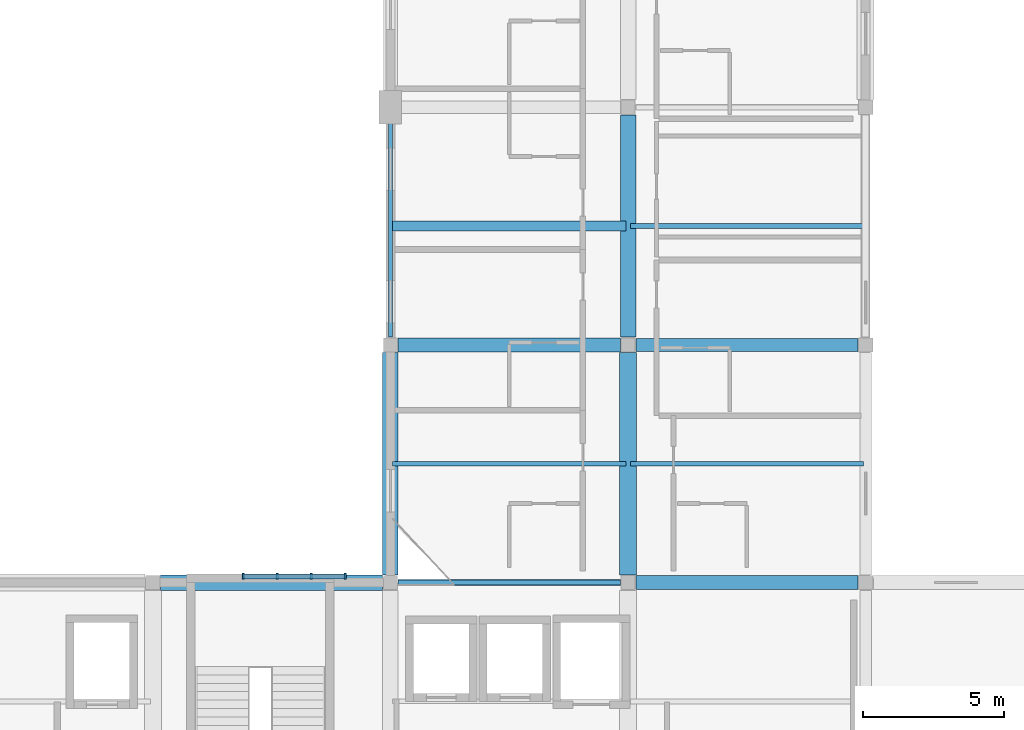
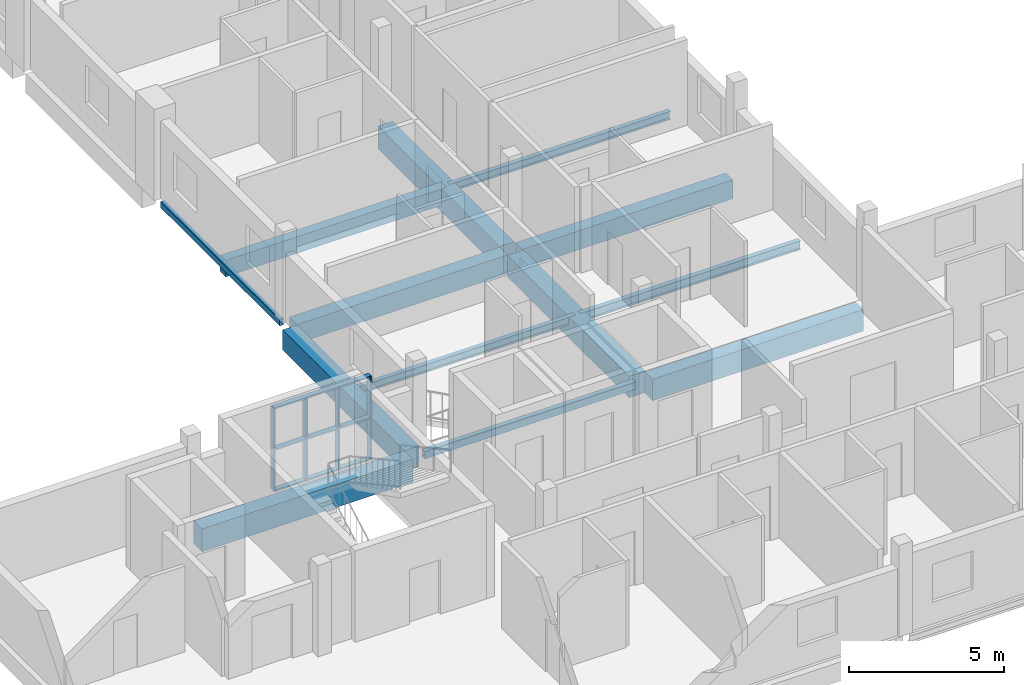
# One storey, part 2 of 20: 13 beams, 7 members, 1 element without a shape of its own.
"""IFC4 building model written with IfcOpenShell, lengths in metres."""

from ifc_helpers import new_model, si_unit, derived_unit, direction, frame, origin, origin_2d, place, context, subcontext, project, spatial, rectangle, hollow_rectangle, i_section, extrude, material, material_profile, profile_set, type_object, element, aggregate, save


model = new_model("IFC4")

# Units and contexts
model_context = context("Model", 3, precision=1e-05, world=origin(), true_north=direction((0.0, 1.0)))
body_context = subcontext(model_context, "Body", "Model", "MODEL_VIEW")
ifc_project = project(units=[si_unit("LENGTHUNIT", "METRE"), si_unit("AREAUNIT", "SQUARE_METRE"), si_unit("VOLUMEUNIT", "CUBIC_METRE"), si_unit("PLANEANGLEUNIT", "RADIAN"), si_unit("MASSUNIT", "GRAM", prefix="KILO"), derived_unit("THERMALTRANSMITTANCEUNIT", [(si_unit("POWERUNIT", "WATT"), 1), (si_unit("LENGTHUNIT", "METRE"), -2), (si_unit("THERMODYNAMICTEMPERATUREUNIT", "KELVIN"), -1)])], contexts=[model_context])

# Site, building, storey
site_placement = place(None, origin())
site = spatial("IfcSite", under=ifc_project, at=site_placement, CompositionType="ELEMENT")
building_placement = place(site_placement, origin())
building = spatial("IfcBuilding", under=site, at=building_placement, Name="Barrovel Congress Hotel", CompositionType="ELEMENT")
storey_placement = place(building_placement, frame((0.0, 0.0, 39.89990234375)))
storey = spatial("IfcBuildingStorey", under=building, at=storey_placement, Name="L10", CompositionType="ELEMENT", Elevation=39.89990234375)

# Beams
ifc_material_1 = material(Name="Concrete C40", Category="concrete")
ifc_material_profile_1 = material_profile(ifc_material_1, rectangle(XDim=0.35009765625, YDim=0.64990234375, at=origin_2d()), Name="RC350x650")
ifc_profile_set_1 = profile_set([ifc_material_profile_1], Name="Concrete C40")
beam_type_1 = type_object("IfcBeamType", Name="BM-RC350x650", PredefinedType="JOIST", material=ifc_profile_set_1)
beam_1_placement = place(storey_placement, frame((33.679931640625, 33.60009765625, -0.544921875), z_axis=(1.0, 0.0, 0.0), x_axis=(0.0, 1.0, 0.0)))
element("IfcBeam", 1, at=beam_1_placement, inside=storey, type_object=beam_type_1, Name="JST:L10:33.6:33.6", PredefinedType="JOIST", context=body_context, shape_type="SweptSolid", body=[
    extrude(rectangle(XDim=0.35009765625, YDim=0.64990234375, at=origin_2d()), origin(), (0.0, 0.0, 1.0), 8.239990234375),
])
ifc_material_profile_2 = material_profile(ifc_material_1, rectangle(XDim=0.449951171875, YDim=0.75, at=origin_2d()), Name="RC450x750")
ifc_profile_set_2 = profile_set([ifc_material_profile_2], Name="Concrete C40")
beam_type_2 = type_object("IfcBeamType", Name="BM-RC450x750", PredefinedType="BEAM", material=ifc_profile_set_2)
beam_2_placement = place(storey_placement, frame((42.27490234375, 29.39990234375, -0.594970703125), z_axis=(1.0, 0.0, 0.0), x_axis=(0.0, 1.0, 0.0)))
element("IfcBeam", 2, at=beam_2_placement, inside=storey, type_object=beam_type_2, Name="BMX:L10:29.4:42.0-50.4", PredefinedType="BEAM", context=body_context, shape_type="SweptSolid", body=[
    extrude(rectangle(XDim=0.449951171875, YDim=0.75, at=origin_2d()), origin(), (0.0, 0.0, 1.0), 7.85009765625),
])
ifc_material_profile_3 = material_profile(ifc_material_1, rectangle(XDim=0.5, YDim=0.75, at=origin_2d()), Name="RC500x750")
ifc_profile_set_3 = profile_set([ifc_material_profile_3], Name="Concrete C40")
beam_type_3 = type_object("IfcBeamType", Name="BM-RC500x750", PredefinedType="BEAM", material=ifc_profile_set_3)
beam_3_placement = place(storey_placement, frame((33.875, 29.39990234375, -0.594970703125), z_axis=(1.0, 0.0, 0.0), x_axis=(0.0, 1.0, 0.0)))
element("IfcBeam", 3, at=beam_3_placement, inside=storey, type_object=beam_type_3, Name="BMX:L10:29.4:33.6-42.0", PredefinedType="BEAM", context=body_context, shape_type="SweptSolid", body=[
    extrude(rectangle(XDim=0.5, YDim=0.75, at=origin_2d()), origin(), (0.0, 0.0, 1.0), 7.85009765625),
])
ifc_material_profile_4 = material_profile(ifc_material_1, rectangle(XDim=0.5, YDim=0.85009765625, at=origin_2d()), Name="RC500x850")
ifc_profile_set_4 = profile_set([ifc_material_profile_4], Name="Concrete C40")
beam_type_4 = type_object("IfcBeamType", Name="BM-RC500x850", PredefinedType="BEAM", material=ifc_profile_set_4)
beam_4_placement = place(storey_placement, frame((42.27490234375, 21.0, -0.64501953125), z_axis=(1.0, 0.0, 0.0), x_axis=(0.0, 1.0, 0.0)))
element("IfcBeam", 4, at=beam_4_placement, inside=storey, type_object=beam_type_4, Name="BMX:L10:21.0:42.0-50.4", PredefinedType="BEAM", context=body_context, shape_type="SweptSolid", body=[
    extrude(rectangle(XDim=0.5, YDim=0.85009765625, at=origin_2d()), origin(), (0.0, 0.0, 1.0), 7.85009765625),
])
ifc_material_profile_5 = material_profile(ifc_material_1, rectangle(XDim=0.550048828125, YDim=0.800048828125, at=origin_2d()), Name="RC550x800")
ifc_profile_set_5 = profile_set([ifc_material_profile_5], Name="Concrete C40")
beam_type_5 = type_object("IfcBeamType", Name="BM-RC550x800", PredefinedType="BEAM", material=ifc_profile_set_5)
beam_5_placement = place(storey_placement, frame((33.60009765625, 21.27490234375, -0.619873046875), z_axis=(0.0, 1.0, 0.0), x_axis=(-1.0, 0.0, 0.0)))
element("IfcBeam", 5, at=beam_5_placement, inside=storey, type_object=beam_type_5, Name="BMY:L10:33.6:21.0-29.4", PredefinedType="BEAM", context=body_context, shape_type="SweptSolid", body=[
    extrude(rectangle(XDim=0.550048828125, YDim=0.800048828125, at=origin_2d()), origin(), (0.0, 0.0, 1.0), 7.85009765625),
])
ifc_material_profile_6 = material_profile(ifc_material_1, rectangle(XDim=0.550048828125, YDim=0.89990234375, at=origin_2d()), Name="RC550x900")
ifc_profile_set_6 = profile_set([ifc_material_profile_6], Name="Concrete C40")
beam_type_6 = type_object("IfcBeamType", Name="BM-RC550x900", PredefinedType="BEAM", material=ifc_profile_set_6)
for number, where, z_axis, x_axis, name in (
    (6, (25.47509765625, 21.0, -0.669921875), (1.0, 0.0, 0.0), (0.0, 1.0, 0.0), "BMX:L10:21.0:25.2-33.6"),
    (7, (42.0, 29.675048828125, -0.669921875), (0.0, 1.0, 0.0), (-1.0, 0.0, 0.0), "BMY:L10:42.0:29.4-37.8"),
):
    element("IfcBeam", number, at=place(storey_placement, frame(where, z_axis=z_axis, x_axis=x_axis)), inside=storey, type_object=beam_type_6, Name=name, PredefinedType="BEAM", context=body_context, shape_type="SweptSolid", body=[
        extrude(rectangle(XDim=0.550048828125, YDim=0.89990234375, at=origin_2d()), origin(), (0.0, 0.0, 1.0), 7.849853515625),
    ])
ifc_material_profile_7 = material_profile(ifc_material_1, rectangle(XDim=0.60009765625, YDim=0.85009765625, at=origin_2d()), Name="RC600x850")
ifc_profile_set_7 = profile_set([ifc_material_profile_7], Name="Concrete C40")
beam_type_7 = type_object("IfcBeamType", Name="BM-RC600x850", PredefinedType="BEAM", material=ifc_profile_set_7)
beam_6_placement = place(storey_placement, frame((42.0, 21.27490234375, -0.64501953125), z_axis=(0.0, 1.0, 0.0), x_axis=(-1.0, 0.0, 0.0)))
element("IfcBeam", 8, at=beam_6_placement, inside=storey, type_object=beam_type_7, Name="BMY:L10:42.0:21.0-29.4", PredefinedType="BEAM", context=body_context, shape_type="SweptSolid", body=[
    extrude(rectangle(XDim=0.60009765625, YDim=0.85009765625, at=origin_2d()), origin(), (0.0, 0.0, 1.0), 7.85009765625),
])

# Curtain wall, members
ifc_material_2 = material(Name="Anodised Aluminium Alloy 6063-T6", Category="aluminium")
curtain_wall_type = type_object("IfcCurtainWallType", Name="CW-UN-3600x3200", PredefinedType="USERDEFINED", material=ifc_material_2)
curtain_wall_placement = place(storey_placement, origin())
curtain_wall = element("IfcCurtainWall", 9, at=curtain_wall_placement, inside=storey, type_object=curtain_wall_type, Name="CW:L10:UN-3", ObjectType="UNITISED CURTAIN WALL", PredefinedType="USERDEFINED")
ifc_material_profile_8 = material_profile(ifc_material_2, rectangle(XDim=0.06494140625, YDim=0.219970703125, at=origin_2d()), Name="AL-M65x220")
ifc_profile_set_8 = profile_set([ifc_material_profile_8], Name="Anodised Aluminium Alloy 6063-T6")
member_type_1 = type_object("IfcMemberType", Name="CWM-AL-M65x220", PredefinedType="MULLION", material=ifc_profile_set_8)
member_1_placement = place(storey_placement, frame((28.39990234375, 21.219970703125, 0.0), z_axis=(0.0, 0.0, 1.0), x_axis=(1.0, 0.0, 0.0)))
member_1 = element("IfcMember", 10, at=member_1_placement, type_object=member_type_1, Name="CW:L10:UN-3:M0", PredefinedType="MULLION", context=body_context, shape_type="SweptSolid", body=[
    extrude(rectangle(XDim=0.06494140625, YDim=0.219970703125, at=origin_2d()), origin(), (0.0, 0.0, 1.0), 3.25),
])
member_2_placement = place(storey_placement, frame((29.60009765625, 21.219970703125, 0.0), z_axis=(0.0, 0.0, 1.0), x_axis=(1.0, 0.0, 0.0)))
member_2 = element("IfcMember", 11, at=member_2_placement, type_object=member_type_1, Name="CW:L10:UN-3:M1", PredefinedType="MULLION", context=body_context, shape_type="SweptSolid", body=[
    extrude(rectangle(XDim=0.06494140625, YDim=0.219970703125, at=origin_2d()), origin(), (0.0, 0.0, 1.0), 3.25),
])
member_3_placement = place(storey_placement, frame((30.800048828125, 21.219970703125, 0.0), z_axis=(0.0, 0.0, 1.0), x_axis=(1.0, 0.0, 0.0)))
member_3 = element("IfcMember", 12, at=member_3_placement, type_object=member_type_1, Name="CW:L10:UN-3:M2", PredefinedType="MULLION", context=body_context, shape_type="SweptSolid", body=[
    extrude(rectangle(XDim=0.06494140625, YDim=0.219970703125, at=origin_2d()), origin(), (0.0, 0.0, 1.0), 3.25),
])
member_4_placement = place(storey_placement, frame((32.0, 21.219970703125, 0.0), z_axis=(0.0, 0.0, 1.0), x_axis=(1.0, 0.0, 0.0)))
member_4 = element("IfcMember", 13, at=member_4_placement, type_object=member_type_1, Name="CW:L10:UN-3:M3", PredefinedType="MULLION", context=body_context, shape_type="SweptSolid", body=[
    extrude(rectangle(XDim=0.06494140625, YDim=0.219970703125, at=origin_2d()), origin(), (0.0, 0.0, 1.0), 3.25),
])
ifc_material_profile_9 = material_profile(ifc_material_2, rectangle(XDim=0.179931640625, YDim=0.06494140625, at=origin_2d()), Name="AL-T65x180")
ifc_profile_set_9 = profile_set([ifc_material_profile_9], Name="Anodised Aluminium Alloy 6063-T6")
member_type_2 = type_object("IfcMemberType", Name="CWT-AL-T65x180", PredefinedType="USERDEFINED", material=ifc_profile_set_9)
member_5_placement = place(storey_placement, frame((28.39990234375, 21.219970703125, 0.0), z_axis=(1.0, 0.0, 0.0), x_axis=(0.0, 1.0, 0.0)))
member_5 = element("IfcMember", 14, at=member_5_placement, type_object=member_type_2, Name="CW:L10:UN-3:T0", ObjectType="TRANSOM", PredefinedType="USERDEFINED", context=body_context, shape_type="SweptSolid", body=[
    extrude(rectangle(XDim=0.179931640625, YDim=0.06494140625, at=origin_2d()), origin(), (0.0, 0.0, 1.0), 3.60009765625),
])
member_6_placement = place(storey_placement, frame((28.39990234375, 21.219970703125, 1.625), z_axis=(1.0, 0.0, 0.0), x_axis=(0.0, 1.0, 0.0)))
member_6 = element("IfcMember", 15, at=member_6_placement, type_object=member_type_2, Name="CW:L10:UN-3:T1", ObjectType="TRANSOM", PredefinedType="USERDEFINED", context=body_context, shape_type="SweptSolid", body=[
    extrude(rectangle(XDim=0.179931640625, YDim=0.06494140625, at=origin_2d()), origin(), (0.0, 0.0, 1.0), 3.60009765625),
])
member_7_placement = place(storey_placement, frame((28.39990234375, 21.219970703125, 3.25), z_axis=(1.0, 0.0, 0.0), x_axis=(0.0, 1.0, 0.0)))
member_7 = element("IfcMember", 16, at=member_7_placement, type_object=member_type_2, Name="CW:L10:UN-3:T2", ObjectType="TRANSOM", PredefinedType="USERDEFINED", context=body_context, shape_type="SweptSolid", body=[
    extrude(rectangle(XDim=0.179931640625, YDim=0.06494140625, at=origin_2d()), origin(), (0.0, 0.0, 1.0), 3.60009765625),
])
aggregate(curtain_wall, [member_1, member_2, member_3, member_4, member_5, member_6, member_7])

# Beams
ifc_material_3 = material(Name="Steel ASTM A500 Grade C", Category="steel")
ifc_material_profile_10 = material_profile(ifc_material_3, hollow_rectangle(XDim=0.15234375, YDim=0.25390625, WallThickness=0.0087890625, InnerFilletRadius=0.0087890625, OuterFilletRadius=0.017578125, at=origin_2d()), Name="HSS254x152x9.5")
ifc_profile_set_10 = profile_set([ifc_material_profile_10], Name="Steel ASTM A500 Grade C")
beam_type_8 = type_object("IfcBeamType", Name="SBM-HSS254x152x9.5", PredefinedType="SPANDREL", material=ifc_profile_set_10)
beam_7_placement = place(storey_placement, frame((33.60009765625, 29.675048828125, -0.346923828125), z_axis=(0.0, 1.0, 0.0), x_axis=(-1.0, 0.0, 0.0)))
element("IfcBeam", 17, at=beam_7_placement, inside=storey, type_object=beam_type_8, Name="BMY:L10:33.6:29.4-37.8", PredefinedType="SPANDREL", context=body_context, shape_type="SweptSolid", body=[
    extrude(hollow_rectangle(XDim=0.15234375, YDim=0.25390625, WallThickness=0.0087890625, InnerFilletRadius=0.0087890625, OuterFilletRadius=0.017578125, at=origin_2d()), origin(), (0.0, 0.0, 1.0), 7.675048828125),
])
ifc_material_profile_11 = material_profile(ifc_material_3, hollow_rectangle(XDim=0.203125, YDim=0.3046875, WallThickness=0.01171875, InnerFilletRadius=0.01171875, OuterFilletRadius=0.023681640625, at=origin_2d()), Name="HSS305x203x12.7")
ifc_profile_set_11 = profile_set([ifc_material_profile_11], Name="Steel ASTM A500 Grade C")
beam_type_9 = type_object("IfcBeamType", Name="SBM-HSS305x203x12.7", PredefinedType="SPANDREL", material=ifc_profile_set_11)
beam_8_placement = place(storey_placement, frame((33.875, 21.0, -0.372314453125), z_axis=(1.0, 0.0, 0.0), x_axis=(0.0, 1.0, 0.0)))
element("IfcBeam", 18, at=beam_8_placement, inside=storey, type_object=beam_type_9, Name="BMX:L10:21.0:33.6-42.0", PredefinedType="SPANDREL", context=body_context, shape_type="SweptSolid", body=[
    extrude(hollow_rectangle(XDim=0.203125, YDim=0.3046875, WallThickness=0.01171875, InnerFilletRadius=0.01171875, OuterFilletRadius=0.023681640625, at=origin_2d()), origin(), (0.0, 0.0, 1.0), 7.85009765625),
])
ifc_material_4 = material(Name="Steel ASTM A992 Grade 50", Category="steel")
ifc_material_profile_12 = material_profile(ifc_material_4, i_section(OverallWidth=0.1650390625, OverallDepth=0.31005859375, WebThickness=0.005859375, FlangeThickness=0.009765625, FilletRadius=0.010986328125, at=origin_2d()), Name="W310x39")
ifc_profile_set_12 = profile_set([ifc_material_profile_12], Name="Steel ASTM A992 Grade 50")
beam_type_10 = type_object("IfcBeamType", Name="SBM-W310x39", PredefinedType="JOIST", material=ifc_profile_set_12)
beam_9_placement = place(storey_placement, frame((33.679931640625, 25.199951171875, -0.375), z_axis=(1.0, 0.0, 0.0), x_axis=(0.0, 1.0, 0.0)))
element("IfcBeam", 19, at=beam_9_placement, inside=storey, type_object=beam_type_10, Name="JST:L10:33.6:25.2", PredefinedType="JOIST", context=body_context, shape_type="SweptSolid", body=[
    extrude(i_section(OverallWidth=0.1650390625, OverallDepth=0.31005859375, WebThickness=0.005859375, FlangeThickness=0.009765625, FilletRadius=0.010986328125, at=origin_2d()), origin(), (0.0, 0.0, 1.0), 8.239990234375),
])
ifc_material_profile_13 = material_profile(ifc_material_4, i_section(OverallWidth=0.1669921875, OverallDepth=0.31689453125, WebThickness=0.007568359375, FlangeThickness=0.01318359375, FilletRadius=0.010986328125, at=origin_2d()), Name="W310x52")
ifc_profile_set_13 = profile_set([ifc_material_profile_13], Name="Steel ASTM A992 Grade 50")
beam_type_11 = type_object("IfcBeamType", Name="SBM-W310x52", PredefinedType="JOIST", material=ifc_profile_set_13)
beam_10_placement = place(storey_placement, frame((42.080078125, 33.60009765625, -0.37841796875), z_axis=(1.0, 0.0, 0.0), x_axis=(0.0, 1.0, 0.0)))
element("IfcBeam", 20, at=beam_10_placement, inside=storey, type_object=beam_type_11, Name="JST:L10:42.0:33.6", PredefinedType="JOIST", context=body_context, shape_type="SweptSolid", body=[
    extrude(i_section(OverallWidth=0.1669921875, OverallDepth=0.31689453125, WebThickness=0.007568359375, FlangeThickness=0.01318359375, FilletRadius=0.010986328125, at=origin_2d()), origin(), (0.0, 0.0, 1.0), 8.239990234375),
])
ifc_material_profile_14 = material_profile(ifc_material_4, i_section(OverallWidth=0.1708984375, OverallDepth=0.35205078125, WebThickness=0.0068359375, FlangeThickness=0.009765625, FilletRadius=0.011962890625, at=origin_2d()), Name="W360x44")
ifc_profile_set_14 = profile_set([ifc_material_profile_14], Name="Steel ASTM A992 Grade 50")
beam_type_12 = type_object("IfcBeamType", Name="SBM-W360x44", PredefinedType="JOIST", material=ifc_profile_set_14)
beam_11_placement = place(storey_placement, frame((42.080078125, 25.199951171875, -0.39599609375), z_axis=(1.0, 0.0, 0.0), x_axis=(0.0, 1.0, 0.0)))
element("IfcBeam", 21, at=beam_11_placement, inside=storey, type_object=beam_type_12, Name="JST:L10:42.0:25.2", PredefinedType="JOIST", context=body_context, shape_type="SweptSolid", body=[
    extrude(i_section(OverallWidth=0.1708984375, OverallDepth=0.35205078125, WebThickness=0.0068359375, FlangeThickness=0.009765625, FilletRadius=0.011962890625, at=origin_2d()), origin(), (0.0, 0.0, 1.0), 8.239990234375),
])

save(model, "model.ifc")
